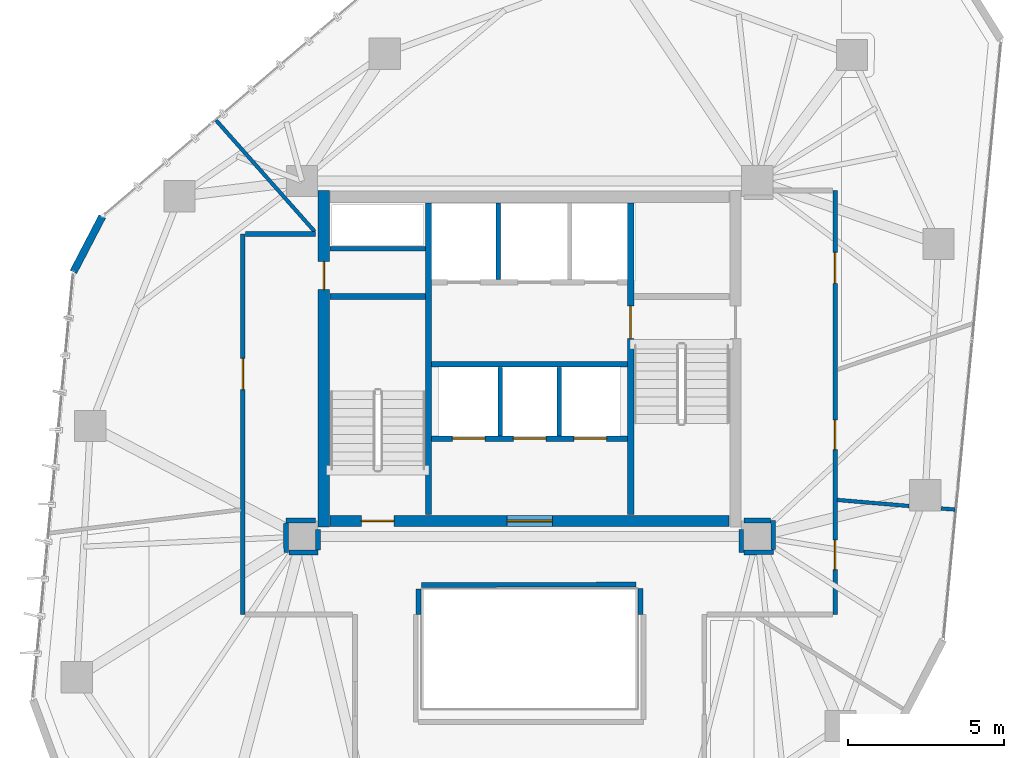
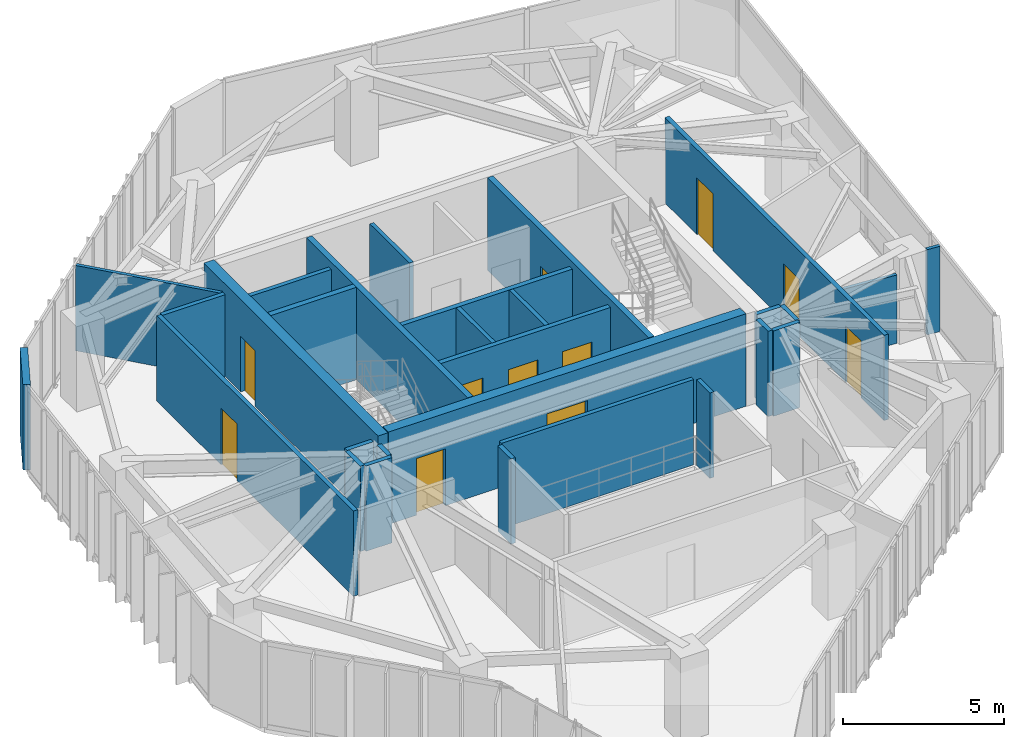
# One storey, part 17 of 20: 29 walls, 11 doors, 11 openings.
"""IFC4 building model written with IfcOpenShell, lengths in metres."""

import ifcopenshell
import ifcopenshell.guid

model = None  # the IFC model being written
_history = None  # IfcOwnerHistory: only IFC2X3 demands one
_inside = {}  # id of a spatial element -> (the spatial element, [elements in it])
_under = {}  # id of a project, library or spatial element -> (it, [spatial elements below it])
_declared = {}  # id of a project -> (the project, [libraries it declares])
_typed = {}  # id of a type object -> (the type object, [elements of that type])
_made_of = {}  # id of a material, layer set ... -> (it, [elements and type objects made of it])


def new_model(schema):
    """Start an empty IFC model of exactly this schema.

    Asked for "IFC4X3", IfcOpenShell would pick the latest addendum, in which some entities
    have other attributes; the version numbers below select the first issue.
    IFC2X3 requires an IfcOwnerHistory on every rooted entity: one is made here for all.
    """
    global model, _history
    if schema == "IFC4X3":
        model = ifcopenshell.file(schema_version=(4, 3, 0, 0))
    else:
        model = ifcopenshell.file(schema=schema)
    _inside.clear()
    _under.clear()
    _declared.clear()
    _typed.clear()
    _made_of.clear()
    _history = None
    if model.schema == "IFC2X3":
        org = make("IfcOrganization", Name="unknown")
        user = make(
            "IfcPersonAndOrganization",
            ThePerson=make("IfcPerson", FamilyName="unknown"),
            TheOrganization=org,
        )
        app = make(
            "IfcApplication",
            ApplicationDeveloper=org,
            Version="unknown",
            ApplicationFullName="unknown",
            ApplicationIdentifier="unknown",
        )
        _history = make(
            "IfcOwnerHistory",
            OwningUser=user,
            OwningApplication=app,
            ChangeAction="ADDED",
            CreationDate=0,
        )
    return model


def make(cls, **values):
    """One entity of the class cls with the attributes given. An attribute that is None is left unset."""
    return model.create_entity(
        cls, **{name: value for name, value in values.items() if value is not None}
    )


def rooted(cls, **values):
    """An entity with a GlobalId (a new one), such as an element, a storey or a relation."""
    return make(cls, GlobalId=ifcopenshell.guid.new(), OwnerHistory=_history, **values)


def si_unit(unit_type, name, prefix=None):
    """IfcSIUnit, for example si_unit("LENGTHUNIT", "METRE", prefix="MILLI")."""
    return make("IfcSIUnit", UnitType=unit_type, Prefix=prefix, Name=name)


def assignment(units):
    """IfcUnitAssignment: the units of a project."""
    return None if units is None else make("IfcUnitAssignment", Units=units)


def point(xyz):
    """IfcCartesianPoint."""
    return None if xyz is None else make("IfcCartesianPoint", Coordinates=xyz)


def direction(xyz):
    """IfcDirection."""
    return None if xyz is None else make("IfcDirection", DirectionRatios=xyz)


def frame(location, z_axis=None, x_axis=None):
    """IfcAxis2Placement3D, a coordinate frame: its origin and axes. An axis left out is left unset."""
    return make(
        "IfcAxis2Placement3D",
        Location=point(location),
        Axis=direction(z_axis),
        RefDirection=direction(x_axis),
    )


def frame_2d(location, x_axis=None):
    """IfcAxis2Placement2D, a coordinate frame in the plane: its origin and x axis."""
    return make(
        "IfcAxis2Placement2D", Location=point(location), RefDirection=direction(x_axis)
    )


def origin():
    """The frame at (0, 0, 0) with its axes left unset."""
    return frame((0.0, 0.0, 0.0))


def place(relative_to, where):
    """IfcLocalPlacement: puts the frame where relative to a parent placement (None: the world)."""
    return make(
        "IfcLocalPlacement", PlacementRelTo=relative_to, RelativePlacement=where
    )


def context(
    kind, dimensions, precision=None, world=None, true_north=None, identifier=None
):
    """IfcGeometricRepresentationContext, for example the 3D "Model" context."""
    return make(
        "IfcGeometricRepresentationContext",
        ContextIdentifier=identifier,
        ContextType=kind,
        CoordinateSpaceDimension=dimensions,
        Precision=precision,
        WorldCoordinateSystem=world,
        TrueNorth=true_north,
    )


def subcontext(parent, identifier, kind, view, scale=None):
    """IfcGeometricRepresentationSubContext, for example "Body" below "Model"."""
    return make(
        "IfcGeometricRepresentationSubContext",
        ContextIdentifier=identifier,
        ContextType=kind,
        ParentContext=parent,
        TargetScale=scale,
        TargetView=view,
    )


def project(units=None, contexts=None):
    """IfcProject with its units and contexts."""
    return rooted(
        "IfcProject",
        Name="project",
        RepresentationContexts=contexts,
        UnitsInContext=assignment(units),
    )


def spatial(cls, under=None, at=None, **own):
    """A site, building, storey or space (cls), placed at a placement, below another one or the project."""
    s = rooted(cls, ObjectPlacement=at, **own)
    if under is not None:
        _under.setdefault(under.id(), (under, []))[1].append(s)
    return s


def profile(cls, at=None, kind="AREA", **sizes):
    """A parametric profile (cls). Its sizes go by their IFC names, for example OverallWidth=200.0."""
    return make(cls, ProfileType=kind, Position=at, **sizes)


def rectangle(**sizes):
    """IfcRectangleProfileDef."""
    return profile("IfcRectangleProfileDef", **sizes)


def extrude(swept, where, along, depth):
    """IfcExtrudedAreaSolid: the profile swept, set in the frame where, extruded along a direction by depth."""
    return make(
        "IfcExtrudedAreaSolid",
        SweptArea=swept,
        Position=where,
        ExtrudedDirection=direction(along),
        Depth=depth,
    )


def shape(context_of_items, identifier, shape_type, items):
    """IfcShapeRepresentation: the items that make up one representation, for example the "Body"."""
    return make(
        "IfcShapeRepresentation",
        ContextOfItems=context_of_items,
        RepresentationIdentifier=identifier,
        RepresentationType=shape_type,
        Items=items,
    )


def source(mapping_origin, context_of_items, identifier, shape_type, items):
    """IfcRepresentationMap: a shape defined once, which mapped items show again and again."""
    return make(
        "IfcRepresentationMap",
        MappingOrigin=mapping_origin,
        MappedRepresentation=shape(context_of_items, identifier, shape_type, items),
    )


def transform(
    local_origin,
    x_axis=None,
    y_axis=None,
    z_axis=None,
    scale=None,
    scale2=None,
    scale3=None,
    uniform=True,
):
    """IfcCartesianTransformationOperator3D, or its non-uniform kind. x_axis, y_axis, z_axis: its Axis1, 2, 3."""
    if uniform:
        return make(
            "IfcCartesianTransformationOperator3D",
            Axis1=direction(x_axis),
            Axis2=direction(y_axis),
            LocalOrigin=point(local_origin),
            Scale=scale,
            Axis3=direction(z_axis),
        )
    return make(
        "IfcCartesianTransformationOperator3DnonUniform",
        Axis1=direction(x_axis),
        Axis2=direction(y_axis),
        LocalOrigin=point(local_origin),
        Scale=scale,
        Axis3=direction(z_axis),
        Scale2=scale2,
        Scale3=scale3,
    )


def mapped(mapping_source, mapping_target):
    """IfcMappedItem: shows the shape of a source again, moved by a transform."""
    return make(
        "IfcMappedItem", MappingSource=mapping_source, MappingTarget=mapping_target
    )


def material(Name=None, Category=None):
    """IfcMaterial."""
    return make("IfcMaterial", Name=Name, Category=Category)


def layer(
    of_material, thickness, ventilated=None, Name=None, Category=None, Priority=None
):
    """IfcMaterialLayer: one layer of a wall or slab, of a material (None: an air gap)."""
    return make(
        "IfcMaterialLayer",
        Material=of_material,
        LayerThickness=thickness,
        IsVentilated=ventilated,
        Name=Name,
        Category=Category,
        Priority=Priority,
    )


def layer_set(layers, Name=None):
    """IfcMaterialLayerSet."""
    return make("IfcMaterialLayerSet", MaterialLayers=layers, LayerSetName=Name)


def made_of(thing, what):
    """Note that an element or type object is made of a material, layer set ...; save() writes the relation."""
    if what is not None:
        _made_of.setdefault(what.id(), (what, []))[1].append(thing)
    return thing


def type_object(cls, material=None, **own):
    """A type object (cls), such as IfcWallType, which elements share."""
    return made_of(rooted(cls, **own), material)


def type_shapes(of_type, sources):
    """Give a type object the sources (RepresentationMaps) that its elements show as mapped items."""
    of_type.RepresentationMaps = sources


def element(
    cls,
    number,
    at=None,
    inside=None,
    cuts=None,
    type_object=None,
    material=None,
    context=None,
    identifier="Body",
    shape_type=None,
    held_by="IfcProductDefinitionShape",
    body=None,
    shapes=None,
    **own,
):
    """One element of the class cls, such as IfcWall. Its Tag is "e" and its number.

    at: its placement. inside: the storey or other place that contains it. cuts: it is an
    opening in that element (IfcRelVoidsElement). A single representation is given by context,
    identifier, shape_type and body (its items); several are given by shapes. held_by: the class
    of the entity that holds the representations. save() writes the other relations.
    """
    e = rooted(cls, Tag="e%d" % number, ObjectPlacement=at, **own)
    if body is not None:
        shapes = [shape(context, identifier, shape_type, body)]
    if shapes is not None:
        e.Representation = make(held_by, Representations=shapes)
    if inside is not None:
        _inside.setdefault(inside.id(), (inside, []))[1].append(e)
    if cuts is not None:
        rooted(
            "IfcRelVoidsElement", RelatingBuildingElement=cuts, RelatedOpeningElement=e
        )
    if type_object is not None:
        _typed.setdefault(type_object.id(), (type_object, []))[1].append(e)
    return made_of(e, material)


def fill(opening, filler):
    """IfcRelFillsElement: the door or window that sits in an opening."""
    return rooted(
        "IfcRelFillsElement",
        RelatingOpeningElement=opening,
        RelatedBuildingElement=filler,
    )


def aggregate(whole, parts):
    """IfcRelAggregates: a whole, such as a stair, and the parts it consists of."""
    return rooted("IfcRelAggregates", RelatingObject=whole, RelatedObjects=parts)


def save(model, path):
    """Write the relations noted so far, then the file.

    IfcRelAggregates (storeys below a building ...), IfcRelContainedInSpatialStructure (elements
    in a storey), IfcRelDefinesByType, IfcRelAssociatesMaterial and IfcRelDeclares: one each for
    every whole, place, type object, material and project.
    """
    for whole, parts in _under.values():
        aggregate(whole, parts)
    for where, things in _inside.values():
        rooted(
            "IfcRelContainedInSpatialStructure",
            RelatedElements=things,
            RelatingStructure=where,
        )
    for kind, things in _typed.values():
        rooted("IfcRelDefinesByType", RelatedObjects=things, RelatingType=kind)
    for what, things in _made_of.values():
        rooted("IfcRelAssociatesMaterial", RelatedObjects=things, RelatingMaterial=what)
    for by, libraries in _declared.values():
        rooted("IfcRelDeclares", RelatingContext=by, RelatedDefinitions=libraries)
    model.write(path)


model = new_model("IFC4")

# Units and contexts
model_context = context("Model", 3, precision=1e-05, world=origin(), true_north=direction((0.0, 1.0)))
body_context = subcontext(model_context, "Body", "Model", "MODEL_VIEW")
ifc_project = project(units=[si_unit("LENGTHUNIT", "METRE"), si_unit("AREAUNIT", "SQUARE_METRE"), si_unit("VOLUMEUNIT", "CUBIC_METRE"), si_unit("PLANEANGLEUNIT", "RADIAN"), si_unit("MASSUNIT", "GRAM", prefix="KILO")], contexts=[model_context])

# Site, building, storey
site_placement = place(None, origin())
site = spatial("IfcSite", under=ifc_project, at=site_placement, CompositionType="ELEMENT")
building_placement = place(site_placement, origin())
building = spatial("IfcBuilding", under=site, at=building_placement, Name="Talar Marvaseh", CompositionType="ELEMENT")
storey_placement = place(building_placement, frame((0.0, 0.0, 211.699951171875)))
storey = spatial("IfcBuildingStorey", under=building, at=storey_placement, Name="L55", CompositionType="ELEMENT", Elevation=211.699951171875)

# Walls
ifc_material_1 = material(Name="Precast concrete C45/55", Category="concrete")
ifc_layer_1 = layer(ifc_material_1, 0.239990234375)
ifc_layer_set_1 = layer_set([ifc_layer_1], Name="Precast concrete C45/55")
wall_type_1 = type_object("IfcWallType", Name="Chamfered Hexagonal Corner Pier Wall Z3 240", PredefinedType="SOLIDWALL", material=ifc_layer_set_1)
wall_1_placement = place(storey_placement, frame((11.367431640625, 33.988037109375, 0.0), z_axis=(0.0, 0.0, 1.0), x_axis=(0.461778626692, 0.886995208516, 0.0)))
element("IfcWall", 1, at=wall_1_placement, inside=storey, type_object=wall_type_1, Name="L55 Chamfered Corner Limestone Pier 3", PredefinedType="SOLIDWALL", context=body_context, shape_type="SweptSolid", body=[
    extrude(rectangle(XDim=2.003173828125, YDim=0.239990234375, at=frame_2d((1.00146484375, 0.0))), origin(), (0.0, 0.0, 1.0), 3.22998046875),
])
ifc_material_2 = material(Name="Gypsum Board Partition Assembly")
ifc_layer_2 = layer(ifc_material_2, 0.155029296875)
ifc_layer_set_2 = layer_set([ifc_layer_2], Name="Gypsum Board Partition Assembly")
wall_type_2 = type_object("IfcWallType", Name="Corridor Fire-Rated Acoustic Partition 155", PredefinedType="PARTITIONING", material=ifc_layer_set_2)
wall_2_placement = place(storey_placement, frame((19.60009765625, 34.72998046875, 0.0), z_axis=(0.0, 0.0, 1.0), x_axis=(1.0, 0.0, 0.0)))
element("IfcWall", 2, at=wall_2_placement, inside=storey, type_object=wall_type_2, Name="L55 Core BOH Partition", PredefinedType="PARTITIONING", context=body_context, shape_type="SweptSolid", body=[
    extrude(rectangle(XDim=3.059814453125, YDim=0.155029296875, at=frame_2d((1.52978515625, 0.0))), origin(), (0.0, 0.0, 1.0), 3.22998046875),
])

# Wall, opening, door
wall_3_placement = place(storey_placement, frame((16.800048828125, 23.0, 0.0), z_axis=(0.0, 0.0, 1.0), x_axis=(0.0, 1.0, 0.0)))
wall_3 = element("IfcWall", 3, at=wall_3_placement, inside=storey, type_object=wall_type_2, Name="L55 Interior Partition Wall", PredefinedType="PARTITIONING", context=body_context, shape_type="SweptSolid", body=[
    extrude(rectangle(XDim=12.199951171875, YDim=0.155029296875, at=frame_2d((6.10009765625, 0.0))), origin(), (0.0, 0.0, 1.0), 3.22998046875),
])
opening_1_placement = place(wall_3_placement, frame((7.214599609375, 0.0, 0.0)))
opening_1 = element("IfcOpeningElement", 4, at=opening_1_placement, cuts=wall_3, Name="Opening DR-RM100", PredefinedType="OPENING", context=body_context, shape_type="SweptSolid", body=[
    extrude(rectangle(XDim=1.0, YDim=2.14990234375, at=frame_2d((0.5, 1.074951171875))), frame((0.0, 0.08740234375, 0.0), z_axis=(0.0, -1.0, 0.0), x_axis=(1.0, 0.0, 0.0)), (0.0, 0.0, 1.0), 0.175048828125),
])
ifc_material_3 = material(Name="Acoustic Engineered Oak Timber", Category="wood")
door_type_1 = type_object("IfcDoorType", Name="Corridor Fire-Rated Gallery Door 1000x2150", OperationType="NOTDEFINED", PredefinedType="DOOR", material=ifc_material_3)
shared_shape_1 = source(origin(), body_context, "Body", "SweptSolid", [
    extrude(rectangle(XDim=1.0, YDim=2.14990234375, at=frame_2d((0.5, 1.074951171875))), frame((0.0, 0.02490234375, 0.0), z_axis=(0.0, -1.0, 0.0), x_axis=(1.0, 0.0, 0.0)), (0.0, 0.0, 1.0), 0.050048828125),
])
type_shapes(door_type_1, [shared_shape_1])
door_1_placement = place(opening_1_placement, origin())
door_1 = element("IfcDoor", 5, at=door_1_placement, inside=storey, type_object=door_type_1, Name="L55 Scholars' Registration Reception Door", OperationType="SINGLE_SWING_RIGHT", OverallHeight=2.14990234375, OverallWidth=1.0, PredefinedType="DOOR", context=body_context, shape_type="MappedRepresentation", body=[
    mapped(shared_shape_1, transform((0.0, 0.0, 0.0), x_axis=(1.0, 0.0, 0.0), y_axis=(0.0, 1.0, 0.0), z_axis=(0.0, 0.0, 1.0), scale=1.0)),
])
fill(opening_1, door_1)

# Wall, openings, doors
wall_4_placement = place(storey_placement, frame((35.800048828125, 36.60009765625, 0.0), z_axis=(0.0, 0.0, 1.0), x_axis=(0.0, -1.0, 0.0)))
wall_4 = element("IfcWall", 6, at=wall_4_placement, inside=storey, type_object=wall_type_2, Name="L55 Interior Partition Wall", PredefinedType="PARTITIONING", context=body_context, shape_type="SweptSolid", body=[
    extrude(rectangle(XDim=13.60009765625, YDim=0.155029296875, at=frame_2d((6.800048828125, 0.0))), origin(), (0.0, 0.0, 1.0), 3.22998046875),
])
opening_2_placement = place(wall_4_placement, frame((11.2138671875, 0.0, 0.0)))
opening_2 = element("IfcOpeningElement", 7, at=opening_2_placement, cuts=wall_4, Name="Opening DR-WC095", PredefinedType="OPENING", context=body_context, shape_type="SweptSolid", body=[
    extrude(rectangle(XDim=0.949951171875, YDim=2.14990234375, at=frame_2d((0.47509765625, 1.074951171875))), frame((0.0, 0.08740234375, 0.0), z_axis=(0.0, -1.0, 0.0), x_axis=(1.0, 0.0, 0.0)), (0.0, 0.0, 1.0), 0.175048828125),
])
opening_3_placement = place(wall_4_placement, frame((7.364990234375, 0.0, 0.0)))
opening_3 = element("IfcOpeningElement", 8, at=opening_3_placement, cuts=wall_4, Name="Opening DR-WC095", PredefinedType="OPENING", context=body_context, shape_type="SweptSolid", body=[
    extrude(rectangle(XDim=0.949951171875, YDim=2.14990234375, at=frame_2d((0.47509765625, 1.074951171875))), frame((0.0, 0.08740234375, 0.0), z_axis=(0.0, -1.0, 0.0), x_axis=(1.0, 0.0, 0.0)), (0.0, 0.0, 1.0), 0.175048828125),
])
opening_4_placement = place(wall_4_placement, frame((1.98193359375, 0.0, 0.0)))
opening_4 = element("IfcOpeningElement", 9, at=opening_4_placement, cuts=wall_4, Name="Opening DR-RM100", PredefinedType="OPENING", context=body_context, shape_type="SweptSolid", body=[
    extrude(rectangle(XDim=1.0, YDim=2.14990234375, at=frame_2d((0.5, 1.074951171875))), frame((0.0, 0.08740234375, 0.0), z_axis=(0.0, -1.0, 0.0), x_axis=(1.0, 0.0, 0.0)), (0.0, 0.0, 1.0), 0.175048828125),
])
door_type_2 = type_object("IfcDoorType", Name="Washroom and Service Room Door 950x2150", OperationType="NOTDEFINED", PredefinedType="DOOR", material=ifc_material_3)
shared_shape_2 = source(origin(), body_context, "Body", "SweptSolid", [
    extrude(rectangle(XDim=0.949951171875, YDim=2.14990234375, at=frame_2d((0.47509765625, 1.074951171875))), frame((0.0, 0.02490234375, 0.0), z_axis=(0.0, -1.0, 0.0), x_axis=(1.0, 0.0, 0.0)), (0.0, 0.0, 1.0), 0.050048828125),
])
type_shapes(door_type_2, [shared_shape_2])
door_2_placement = place(opening_2_placement, origin())
door_2 = element("IfcDoor", 10, at=door_2_placement, inside=storey, type_object=door_type_2, Name="L55 Accessible WC Door", OperationType="SINGLE_SWING_LEFT", OverallHeight=2.14990234375, OverallWidth=0.949951171875, PredefinedType="DOOR", context=body_context, shape_type="MappedRepresentation", body=[
    mapped(shared_shape_2, transform((0.0, 0.0, 0.0), x_axis=(1.0, 0.0, 0.0), y_axis=(0.0, 1.0, 0.0), z_axis=(0.0, 0.0, 1.0), scale=1.0)),
])
fill(opening_2, door_2)
door_3_placement = place(opening_3_placement, origin())
door_3 = element("IfcDoor", 11, at=door_3_placement, inside=storey, type_object=door_type_2, Name="L55 WC Public Washrooms Door", OperationType="SINGLE_SWING_RIGHT", OverallHeight=2.14990234375, OverallWidth=0.949951171875, PredefinedType="DOOR", context=body_context, shape_type="MappedRepresentation", body=[
    mapped(shared_shape_2, transform((0.0, 0.0, 0.0), x_axis=(1.0, 0.0, 0.0), y_axis=(0.0, 1.0, 0.0), z_axis=(0.0, 0.0, 1.0), scale=1.0)),
])
fill(opening_3, door_3)
door_4_placement = place(opening_4_placement, origin())
door_4 = element("IfcDoor", 12, at=door_4_placement, inside=storey, type_object=door_type_1, Name="L55 Artisan Craft Showroom Door", OperationType="SINGLE_SWING_LEFT", OverallHeight=2.14990234375, OverallWidth=1.0, PredefinedType="DOOR", context=body_context, shape_type="MappedRepresentation", body=[
    mapped(shared_shape_1, transform((0.0, 0.0, 0.0), x_axis=(1.0, 0.0, 0.0), y_axis=(0.0, 1.0, 0.0), z_axis=(0.0, 0.0, 1.0), scale=1.0)),
])
fill(opening_4, door_4)

# Walls
wall_5_placement = place(storey_placement, frame((16.883544921875, 35.199951171875, 0.0), z_axis=(0.0, 0.0, 1.0), x_axis=(1.0, 0.0, 0.0)))
element("IfcWall", 13, at=wall_5_placement, inside=storey, type_object=wall_type_2, Name="L55 Interior Partition Wall", PredefinedType="PARTITIONING", context=body_context, shape_type="SweptSolid", body=[
    extrude(rectangle(XDim=2.246337890625, YDim=0.155029296875, at=frame_2d((1.123046875, 0.0))), origin(), (0.0, 0.0, 1.0), 3.22998046875),
])
wall_6_placement = place(storey_placement, frame((19.1298828125, 26.0146484375, 0.0), z_axis=(0.0, 0.0, 1.0), x_axis=(-0.99999026157, -0.004413248818, 0.0)))
element("IfcWall", 14, at=wall_6_placement, inside=storey, type_object=wall_type_2, Name="L55 Interior Partition Wall", PredefinedType="PARTITIONING", context=body_context, shape_type="SweptSolid", body=[
    extrude(rectangle(XDim=0.9404296875, YDim=0.155029296875, at=frame_2d((0.47021484375, 0.0))), origin(), (0.0, 0.0, 1.0), 3.22998046875),
])
wall_7_placement = place(storey_placement, frame((18.189697265625, 25.927001953125, 0.0), z_axis=(0.0, 0.0, 1.0), x_axis=(0.002078997586, -0.999997838882, 0.0)))
element("IfcWall", 15, at=wall_7_placement, inside=storey, type_object=wall_type_2, Name="L55 Interior Partition Wall", PredefinedType="PARTITIONING", context=body_context, shape_type="SweptSolid", body=[
    extrude(rectangle(XDim=0.939453125, YDim=0.155029296875, at=frame_2d((0.4697265625, 0.0))), origin(), (0.0, 0.0, 1.0), 3.22998046875),
])
wall_8_placement = place(storey_placement, frame((18.275146484375, 24.987548828125, 0.0), z_axis=(0.0, 0.0, 1.0), x_axis=(0.999999692748, 0.0007839036, 0.0)))
element("IfcWall", 16, at=wall_8_placement, inside=storey, type_object=wall_type_2, Name="L55 Interior Partition Wall", PredefinedType="PARTITIONING", context=body_context, shape_type="SweptSolid", body=[
    extrude(rectangle(XDim=0.934326171875, YDim=0.155029296875, at=frame_2d((0.46728515625, 0.0))), origin(), (0.0, 0.0, 1.0), 3.22998046875),
])
wall_9_placement = place(storey_placement, frame((19.210205078125, 25.072021484375, 0.0), z_axis=(0.0, 0.0, 1.0), x_axis=(0.007420945932, 0.999972464402, 0.0)))
element("IfcWall", 17, at=wall_9_placement, inside=storey, type_object=wall_type_2, Name="L55 Interior Partition Wall", PredefinedType="PARTITIONING", context=body_context, shape_type="SweptSolid", body=[
    extrude(rectangle(XDim=0.657958984375, YDim=0.155029296875, at=frame_2d((0.3291015625, 0.0))), origin(), (0.0, 0.0, 1.0), 3.22998046875),
])
wall_10_placement = place(storey_placement, frame((32.784912109375, 25.72998046875, 0.0), z_axis=(0.0, 0.0, 1.0), x_axis=(0.007570553288, -0.999971342951, 0.0)))
element("IfcWall", 18, at=wall_10_placement, inside=storey, type_object=wall_type_2, Name="L55 Interior Partition Wall", PredefinedType="PARTITIONING", context=body_context, shape_type="SweptSolid", body=[
    extrude(rectangle(XDim=0.74169921875, YDim=0.155029296875, at=frame_2d((0.370849609375, 0.0))), origin(), (0.0, 0.0, 1.0), 3.22998046875),
])
wall_11_placement = place(storey_placement, frame((32.8740234375, 24.9892578125, 0.0), z_axis=(0.0, 0.0, 1.0), x_axis=(0.999934835738, 0.01141596595, 0.0)))
element("IfcWall", 19, at=wall_11_placement, inside=storey, type_object=wall_type_2, Name="L55 Interior Partition Wall", PredefinedType="PARTITIONING", context=body_context, shape_type="SweptSolid", body=[
    extrude(rectangle(XDim=0.94091796875, YDim=0.155029296875, at=frame_2d((0.470458984375, 0.0))), origin(), (0.0, 0.0, 1.0), 3.22998046875),
])
wall_12_placement = place(storey_placement, frame((33.814697265625, 25.08349609375, 0.0), z_axis=(0.0, 0.0, 1.0), x_axis=(-0.004477173984, 0.999989977406, 0.0)))
element("IfcWall", 20, at=wall_12_placement, inside=storey, type_object=wall_type_2, Name="L55 Interior Partition Wall", PredefinedType="PARTITIONING", context=body_context, shape_type="SweptSolid", body=[
    extrude(rectangle(XDim=0.927001953125, YDim=0.155029296875, at=frame_2d((0.46337890625, 0.0))), origin(), (0.0, 0.0, 1.0), 3.22998046875),
])
wall_13_placement = place(storey_placement, frame((33.72705078125, 26.010986328125, 0.0), z_axis=(0.0, 0.0, 1.0), x_axis=(-0.999990868706, 0.004273465251, 0.0)))
element("IfcWall", 21, at=wall_13_placement, inside=storey, type_object=wall_type_2, Name="L55 Interior Partition Wall", PredefinedType="PARTITIONING", context=body_context, shape_type="SweptSolid", body=[
    extrude(rectangle(XDim=0.85693359375, YDim=0.155029296875, at=frame_2d((0.428466796875, 0.0))), origin(), (0.0, 0.0, 1.0), 3.22998046875),
])
wall_14_placement = place(storey_placement, frame((29.415771484375, 23.959228515625, 0.0), z_axis=(0.0, 0.0, 1.0), x_axis=(-0.999998607957, -0.001668557745, 0.0)))
element("IfcWall", 22, at=wall_14_placement, inside=storey, type_object=wall_type_2, Name="L55 Interior Partition Wall", PredefinedType="PARTITIONING", context=body_context, shape_type="SweptSolid", body=[
    extrude(rectangle(XDim=6.876953125, YDim=0.155029296875, at=frame_2d((3.4384765625, 0.0))), origin(), (0.0, 0.0, 1.0), 3.22998046875),
])
wall_15_placement = place(storey_placement, frame((22.44091796875, 23.815673828125, 0.0), z_axis=(0.0, 0.0, 1.0), x_axis=(-0.001197245475, -0.999999283301, 0.0)))
element("IfcWall", 23, at=wall_15_placement, inside=storey, type_object=wall_type_2, Name="L55 Interior Partition Wall", PredefinedType="PARTITIONING", context=body_context, shape_type="SweptSolid", body=[
    extrude(rectangle(XDim=0.815673828125, YDim=0.155029296875, at=frame_2d((0.40771484375, 0.0))), origin(), (0.0, 0.0, 1.0), 3.22998046875),
])
wall_16_placement = place(storey_placement, frame((29.56005859375, 23.0, 0.0), z_axis=(0.0, 0.0, 1.0), x_axis=(-0.003817887006, 0.999992711843, 0.0)))
element("IfcWall", 24, at=wall_16_placement, inside=storey, type_object=wall_type_2, Name="L55 Interior Partition Wall", PredefinedType="PARTITIONING", context=body_context, shape_type="SweptSolid", body=[
    extrude(rectangle(XDim=0.831298828125, YDim=0.155029296875, at=frame_2d((0.41552734375, 0.0))), origin(), (0.0, 0.0, 1.0), 3.22998046875),
])
ifc_layer_3 = layer(ifc_material_2, 0.1201171875)
ifc_layer_set_3 = layer_set([ifc_layer_3], Name="Gypsum Board Partition Assembly")
wall_type_3 = type_object("IfcWallType", Name="Demountable Studio Room Partition 120", PredefinedType="PARTITIONING", material=ifc_layer_set_3)
wall_17_placement = place(storey_placement, frame((35.86474609375, 26.674560546875, 0.0), z_axis=(0.0, 0.0, 1.0), x_axis=(0.996456394082, -0.084110966541, 0.0)))
element("IfcWall", 25, at=wall_17_placement, inside=storey, type_object=wall_type_3, Name="L55 Interior Partition Wall", PredefinedType="PARTITIONING", context=body_context, shape_type="SweptSolid", body=[
    extrude(rectangle(XDim=2.3134765625, YDim=0.1201171875, at=frame_2d((1.15673828125, 0.0))), origin(), (0.0, 0.0, 1.0), 2.589111328125),
])
wall_18_placement = place(storey_placement, frame((39.199951171875, 26.39990234375, 0.0), z_axis=(0.0, 0.0, 1.0), x_axis=(0.997287061139, -0.073610581331, 0.0)))
element("IfcWall", 26, at=wall_18_placement, inside=storey, type_object=wall_type_3, Name="L55 Interior Partition Wall", PredefinedType="PARTITIONING", context=body_context, shape_type="SweptSolid", body=[
    extrude(rectangle(XDim=0.44775390625, YDim=0.1201171875, at=frame_2d((0.223876953125, 0.0))), origin(), (0.0, 0.0, 1.0), 3.22998046875),
])
wall_19_placement = place(storey_placement, frame((19.10595703125, 35.283447265625, 0.0), z_axis=(0.0, 0.0, 1.0), x_axis=(-0.663307514316, 0.748346939228, 0.0)))
element("IfcWall", 27, at=wall_19_placement, inside=storey, type_object=wall_type_3, Name="L55 Interior Partition Wall", PredefinedType="PARTITIONING", context=body_context, shape_type="SweptSolid", body=[
    extrude(rectangle(XDim=4.765625, YDim=0.1201171875, at=frame_2d((2.3828125, 0.0))), origin(), (0.0, 0.0, 1.0), 3.22998046875),
])
ifc_layer_4 = layer(ifc_material_1, 0.14501953125)
ifc_layer_set_4 = layer_set([ifc_layer_4], Name="Precast concrete C45/55")
wall_type_4 = type_object("IfcWallType", Name="Fire-Rated Lift Divider Wall 145", PredefinedType="SOLIDWALL", material=ifc_layer_set_4)
wall_20_placement = place(storey_placement, frame((25.0, 33.743408203125, 0.0), z_axis=(0.0, 0.0, 1.0), x_axis=(0.0, 1.0, 0.0)))
element("IfcWall", 28, at=wall_20_placement, inside=storey, type_object=wall_type_4, Name="L55 FFL-1/FFL-2 Divider", PredefinedType="SOLIDWALL", context=body_context, shape_type="SweptSolid", body=[
    extrude(rectangle(XDim=2.45654296875, YDim=0.14501953125, at=frame_2d((1.228271484375, 0.0))), origin(), (0.0, 0.0, 1.0), 3.22998046875),
])
for number, where, z_axis, x_axis, name in (
    (29, (25.050048828125, 28.719970703125, 0.0), (0.0, 0.0, 1.0), (0.0, 1.0, 0.0), "L55 PL-H1/PL-H2 Divider"),
    (30, (26.949951171875, 28.719970703125, 0.0), (0.0, 0.0, 1.0), (0.0, 1.0, 0.0), "L55 PL-H2/PL-H3 Divider"),
):
    element("IfcWall", number, at=place(storey_placement, frame(where, z_axis=z_axis, x_axis=x_axis)), inside=storey, type_object=wall_type_4, Name=name, PredefinedType="SOLIDWALL", context=body_context, shape_type="SweptSolid", body=[
        extrude(rectangle(XDim=2.20654296875, YDim=0.14501953125, at=frame_2d((1.103271484375, 0.0))), origin(), (0.0, 0.0, 1.0), 3.22998046875),
    ])
ifc_layer_5 = layer(ifc_material_1, 0.175048828125)
ifc_layer_set_5 = layer_set([ifc_layer_5], Name="Precast concrete C45/55")
wall_type_5 = type_object("IfcWallType", Name="Fire-Rated Lift Hoistway Enclosure Wall 175", PredefinedType="SOLIDWALL", material=ifc_layer_set_5)
wall_21_placement = place(storey_placement, frame((22.860107421875, 31.02001953125, 0.0), z_axis=(0.0, 0.0, 1.0), x_axis=(1.0, 0.0, 0.0)))
element("IfcWall", 31, at=wall_21_placement, inside=storey, type_object=wall_type_5, Name="L55 Firefighting Lobby South Smoke Wall", PredefinedType="SOLIDWALL", context=body_context, shape_type="SweptSolid", body=[
    extrude(rectangle(XDim=6.27978515625, YDim=0.175048828125, at=frame_2d((3.139892578125, 0.0))), origin(), (0.0, 0.0, 1.0), 3.22998046875),
])

# Wall, openings, doors
wall_22_placement = place(storey_placement, frame((22.860107421875, 28.639892578125, 0.0), z_axis=(0.0, 0.0, 1.0), x_axis=(1.0, 0.0, 0.0)))
wall_22 = element("IfcWall", 32, at=wall_22_placement, inside=storey, type_object=wall_type_5, Name="L55 High-Rise Lift Bank Front Wall", PredefinedType="SOLIDWALL", context=body_context, shape_type="SweptSolid", body=[
    extrude(rectangle(XDim=6.27978515625, YDim=0.175048828125, at=frame_2d((3.139892578125, 0.0))), origin(), (0.0, 0.0, 1.0), 3.22998046875),
])
opening_5_placement = place(wall_22_placement, frame((0.659912109375, 0.0, 0.0)))
opening_5 = element("IfcOpeningElement", 33, at=opening_5_placement, cuts=wall_22, Name="Opening LD-PLH1", PredefinedType="OPENING", context=body_context, shape_type="SweptSolid", body=[
    extrude(rectangle(XDim=1.050048828125, YDim=2.14990234375, at=frame_2d((0.52490234375, 1.074951171875))), frame((0.0, 0.09765625, 0.0), z_axis=(0.0, -1.0, 0.0), x_axis=(1.0, 0.0, 0.0)), (0.0, 0.0, 1.0), 0.195068359375),
])
opening_6_placement = place(wall_22_placement, frame((2.6201171875, 0.0, 0.0)))
opening_6 = element("IfcOpeningElement", 34, at=opening_6_placement, cuts=wall_22, Name="Opening LD-PLH2", PredefinedType="OPENING", context=body_context, shape_type="SweptSolid", body=[
    extrude(rectangle(XDim=1.050048828125, YDim=2.14990234375, at=frame_2d((0.52490234375, 1.074951171875))), frame((0.0, 0.09765625, 0.0), z_axis=(0.0, -1.0, 0.0), x_axis=(1.0, 0.0, 0.0)), (0.0, 0.0, 1.0), 0.195068359375),
])
opening_7_placement = place(wall_22_placement, frame((4.56005859375, 0.0, 0.0)))
opening_7 = element("IfcOpeningElement", 35, at=opening_7_placement, cuts=wall_22, Name="Opening LD-PLH3", PredefinedType="OPENING", context=body_context, shape_type="SweptSolid", body=[
    extrude(rectangle(XDim=1.050048828125, YDim=2.14990234375, at=frame_2d((0.52490234375, 1.074951171875))), frame((0.0, 0.09765625, 0.0), z_axis=(0.0, -1.0, 0.0), x_axis=(1.0, 0.0, 0.0)), (0.0, 0.0, 1.0), 0.195068359375),
])
ifc_material_4 = material(Name="Stainless Steel Grade 316", Category="steel")
door_type_3 = type_object("IfcDoorType", Name="Automatic Sliding Lift Landing Door 1050x2150", OperationType="NOTDEFINED", PredefinedType="DOOR", material=ifc_material_4)
shared_shape_3 = source(origin(), body_context, "Body", "SweptSolid", [
    extrude(rectangle(XDim=1.050048828125, YDim=2.14990234375, at=frame_2d((0.52490234375, 1.074951171875))), frame((0.0, 0.02490234375, 0.0), z_axis=(0.0, -1.0, 0.0), x_axis=(1.0, 0.0, 0.0)), (0.0, 0.0, 1.0), 0.050048828125),
])
type_shapes(door_type_3, [shared_shape_3])
door_5_placement = place(opening_5_placement, origin())
door_5 = element("IfcDoor", 36, at=door_5_placement, inside=storey, type_object=door_type_3, Name="L55 Lift PL-H1 Sliding Landing Door", OperationType="SLIDING_TO_LEFT", OverallHeight=2.14990234375, OverallWidth=1.050048828125, PredefinedType="DOOR", context=body_context, shape_type="MappedRepresentation", body=[
    mapped(shared_shape_3, transform((0.0, 0.0, 0.0), x_axis=(1.0, 0.0, 0.0), y_axis=(0.0, 1.0, 0.0), z_axis=(0.0, 0.0, 1.0), scale=1.0)),
])
fill(opening_5, door_5)
door_6_placement = place(opening_6_placement, origin())
door_6 = element("IfcDoor", 37, at=door_6_placement, inside=storey, type_object=door_type_3, Name="L55 Lift PL-H2 Sliding Landing Door", OperationType="SLIDING_TO_LEFT", OverallHeight=2.14990234375, OverallWidth=1.050048828125, PredefinedType="DOOR", context=body_context, shape_type="MappedRepresentation", body=[
    mapped(shared_shape_3, transform((0.0, 0.0, 0.0), x_axis=(1.0, 0.0, 0.0), y_axis=(0.0, 1.0, 0.0), z_axis=(0.0, 0.0, 1.0), scale=1.0)),
])
fill(opening_6, door_6)
door_7_placement = place(opening_7_placement, origin())
door_7 = element("IfcDoor", 38, at=door_7_placement, inside=storey, type_object=door_type_3, Name="L55 Lift PL-H3 Sliding Landing Door", OperationType="SLIDING_TO_LEFT", OverallHeight=2.14990234375, OverallWidth=1.050048828125, PredefinedType="DOOR", context=body_context, shape_type="MappedRepresentation", body=[
    mapped(shared_shape_3, transform((0.0, 0.0, 0.0), x_axis=(1.0, 0.0, 0.0), y_axis=(0.0, 1.0, 0.0), z_axis=(0.0, 0.0, 1.0), scale=1.0)),
])
fill(opening_7, door_7)

# Wall
ifc_material_5 = material(Name="Concrete C50/60", Category="concrete")
ifc_layer_6 = layer(ifc_material_5, 0.199951171875)
ifc_layer_set_6 = layer_set([ifc_layer_6], Name="Concrete C50/60")
wall_type_6 = type_object("IfcWallType", Name="Stair Shaft Structural Concrete Shear Wall 200", PredefinedType="SHEAR", material=ifc_layer_set_6)
wall_23_placement = place(storey_placement, frame((22.760009765625, 26.199951171875, 0.0), z_axis=(0.0, 0.0, 1.0), x_axis=(0.0, 1.0, 0.0)))
element("IfcWall", 39, at=wall_23_placement, inside=storey, type_object=wall_type_6, Name="L55 Core West Stair Shear Wall", PredefinedType="SHEAR", context=body_context, shape_type="SweptSolid", body=[
    extrude(rectangle(XDim=10.0, YDim=0.199951171875, at=frame_2d((5.0, 0.0))), origin(), (0.0, 0.0, 1.0), 3.5),
])

# Wall, opening, door
wall_24_placement = place(storey_placement, frame((29.239990234375, 26.199951171875, 0.0), z_axis=(0.0, 0.0, 1.0), x_axis=(0.0, 1.0, 0.0)))
wall_24 = element("IfcWall", 40, at=wall_24_placement, inside=storey, type_object=wall_type_6, Name="L55 Core East Stair Shear Wall", PredefinedType="SHEAR", context=body_context, shape_type="SweptSolid", body=[
    extrude(rectangle(XDim=10.0, YDim=0.199951171875, at=frame_2d((5.0, 0.0))), origin(), (0.0, 0.0, 1.0), 3.5),
])
opening_8_placement = place(wall_24_placement, frame((5.64990234375, 0.0, 0.0)))
opening_8 = element("IfcOpeningElement", 41, at=opening_8_placement, cuts=wall_24, Name="Opening DR-ST105", PredefinedType="OPENING", context=body_context, shape_type="SweptSolid", body=[
    extrude(rectangle(XDim=1.050048828125, YDim=2.14990234375, at=frame_2d((0.52490234375, 1.074951171875))), frame((0.0, 0.10986328125, 0.0), z_axis=(0.0, -1.0, 0.0), x_axis=(1.0, 0.0, 0.0)), (0.0, 0.0, 1.0), 0.219970703125),
])
ifc_material_6 = material(Name="Fire-Rated Steel Door Leaf", Category="steel")
door_type_4 = type_object("IfcDoorType", Name="Protected Exit Stair Fire Door 1050x2150", OperationType="NOTDEFINED", PredefinedType="DOOR", material=ifc_material_6)
shared_shape_4 = source(origin(), body_context, "Body", "SweptSolid", [
    extrude(rectangle(XDim=1.050048828125, YDim=2.14990234375, at=frame_2d((0.52490234375, 1.074951171875))), frame((0.0, 0.02490234375, 0.0), z_axis=(0.0, -1.0, 0.0), x_axis=(1.0, 0.0, 0.0)), (0.0, 0.0, 1.0), 0.050048828125),
])
type_shapes(door_type_4, [shared_shape_4])
door_8_placement = place(opening_8_placement, origin())
door_8 = element("IfcDoor", 42, at=door_8_placement, inside=storey, type_object=door_type_4, Name="L55 Firefighting Lobby to Stair ST-2 Door", OperationType="SINGLE_SWING_LEFT", OverallHeight=2.14990234375, OverallWidth=1.050048828125, PredefinedType="DOOR", context=body_context, shape_type="MappedRepresentation", body=[
    mapped(shared_shape_4, transform((0.0, 0.0, 0.0), x_axis=(1.0, 0.0, 0.0), y_axis=(0.0, 1.0, 0.0), z_axis=(0.0, 0.0, 1.0), scale=1.0)),
])
fill(opening_8, door_8)

# Wall
wall_25_placement = place(storey_placement, frame((19.60009765625, 33.199951171875, 0.0), z_axis=(0.0, 0.0, 1.0), x_axis=(1.0, 0.0, 0.0)))
element("IfcWall", 43, at=wall_25_placement, inside=storey, type_object=wall_type_6, Name="L55 Stair ST-1 North Shear Wall", PredefinedType="SHEAR", context=body_context, shape_type="SweptSolid", body=[
    extrude(rectangle(XDim=3.059814453125, YDim=0.199951171875, at=frame_2d((1.52978515625, 0.0))), origin(), (0.0, 0.0, 1.0), 3.5),
])

# Wall, opening, door
ifc_layer_7 = layer(ifc_material_5, 0.360107421875)
ifc_layer_set_7 = layer_set([ifc_layer_7], Name="Concrete C50/60")
wall_type_7 = type_object("IfcWallType", Name="Upper Core Reinforced Concrete Shear Wall 360", PredefinedType="SHEAR", material=ifc_layer_set_7)
wall_26_placement = place(storey_placement, frame((19.39990234375, 25.800048828125, 0.0), z_axis=(0.0, 0.0, 1.0), x_axis=(0.0, 1.0, 0.0)))
wall_26 = element("IfcWall", 44, at=wall_26_placement, inside=storey, type_object=wall_type_7, Name="L55 West Core Shear Wall", PredefinedType="SHEAR", context=body_context, shape_type="SweptSolid", body=[
    extrude(rectangle(XDim=10.800048828125, YDim=0.360107421875, at=frame_2d((5.39990234375, 0.0))), origin(), (0.0, 0.0, 1.0), 3.5),
])
opening_9_placement = place(wall_26_placement, frame((7.6201171875, 0.0, 0.0)))
opening_9 = element("IfcOpeningElement", 45, at=opening_9_placement, cuts=wall_26, Name="Opening DR-BOH090", PredefinedType="OPENING", context=body_context, shape_type="SweptSolid", body=[
    extrude(rectangle(XDim=0.89990234375, YDim=2.10009765625, at=frame_2d((0.449951171875, 1.050048828125))), frame((0.0, 0.18994140625, 0.0), z_axis=(0.0, -1.0, 0.0), x_axis=(1.0, 0.0, 0.0)), (0.0, 0.0, 1.0), 0.380126953125),
])
door_type_5 = type_object("IfcDoorType", Name="Core Back-of-House Service Door 900x2100", OperationType="NOTDEFINED", PredefinedType="DOOR", material=ifc_material_6)
shared_shape_5 = source(origin(), body_context, "Body", "SweptSolid", [
    extrude(rectangle(XDim=0.89990234375, YDim=2.10009765625, at=frame_2d((0.449951171875, 1.050048828125))), frame((0.0, 0.02490234375, 0.0), z_axis=(0.0, -1.0, 0.0), x_axis=(1.0, 0.0, 0.0)), (0.0, 0.0, 1.0), 0.050048828125),
])
type_shapes(door_type_5, [shared_shape_5])
door_9_placement = place(opening_9_placement, origin())
door_9 = element("IfcDoor", 46, at=door_9_placement, inside=storey, type_object=door_type_5, Name="L55 Cleaner Core West Closet Door", OperationType="SINGLE_SWING_LEFT", OverallHeight=2.10009765625, OverallWidth=0.89990234375, PredefinedType="DOOR", context=body_context, shape_type="MappedRepresentation", body=[
    mapped(shared_shape_5, transform((0.0, 0.0, 0.0), x_axis=(1.0, 0.0, 0.0), y_axis=(0.0, 1.0, 0.0), z_axis=(0.0, 0.0, 1.0), scale=1.0)),
])
fill(opening_9, door_9)

# Wall, openings, doors
wall_27_placement = place(storey_placement, frame((32.39990234375, 26.0, 0.0), z_axis=(0.0, 0.0, 1.0), x_axis=(-1.0, 0.0, 0.0)))
wall_27 = element("IfcWall", 47, at=wall_27_placement, inside=storey, type_object=wall_type_7, Name="L55 South Core Shear Wall", PredefinedType="SHEAR", context=body_context, shape_type="SweptSolid", body=[
    extrude(rectangle(XDim=12.7998046875, YDim=0.360107421875, at=frame_2d((6.39990234375, 0.0))), origin(), (0.0, 0.0, 1.0), 3.5),
])
opening_10_placement = place(wall_27_placement, frame((10.75, 0.0, 0.0)))
opening_10 = element("IfcOpeningElement", 48, at=opening_10_placement, cuts=wall_27, Name="Opening DR-ST105", PredefinedType="OPENING", context=body_context, shape_type="SweptSolid", body=[
    extrude(rectangle(XDim=1.050048828125, YDim=2.14990234375, at=frame_2d((0.52490234375, 1.074951171875))), frame((0.0, 0.18994140625, 0.0), z_axis=(0.0, -1.0, 0.0), x_axis=(1.0, 0.0, 0.0)), (0.0, 0.0, 1.0), 0.380126953125),
])
opening_11_placement = place(wall_27_placement, frame((5.669921875, 0.0, 0.0)))
opening_11 = element("IfcOpeningElement", 49, at=opening_11_placement, cuts=wall_27, Name="Opening DR-LBY145", PredefinedType="OPENING", context=body_context, shape_type="SweptSolid", body=[
    extrude(rectangle(XDim=1.449951171875, YDim=2.199951171875, at=frame_2d((0.72509765625, 1.10009765625))), frame((0.0, 0.18994140625, 0.0), z_axis=(0.0, -1.0, 0.0), x_axis=(1.0, 0.0, 0.0)), (0.0, 0.0, 1.0), 0.380126953125),
])
door_10_placement = place(opening_10_placement, origin())
door_10 = element("IfcDoor", 50, at=door_10_placement, inside=storey, type_object=door_type_4, Name="L55 Stair ST-1 Exit Door", OperationType="SINGLE_SWING_RIGHT", OverallHeight=2.14990234375, OverallWidth=1.050048828125, PredefinedType="DOOR", context=body_context, shape_type="MappedRepresentation", body=[
    mapped(shared_shape_4, transform((0.0, 0.0, 0.0), x_axis=(1.0, 0.0, 0.0), y_axis=(0.0, 1.0, 0.0), z_axis=(0.0, 0.0, 1.0), scale=1.0)),
])
fill(opening_10, door_10)
door_type_6 = type_object("IfcDoorType", Name="Core Lift Lobby Double Smoke Door 1450x2200", OperationType="NOTDEFINED", PredefinedType="DOOR", material=ifc_material_6)
shared_shape_6 = source(origin(), body_context, "Body", "SweptSolid", [
    extrude(rectangle(XDim=1.449951171875, YDim=2.199951171875, at=frame_2d((0.72509765625, 1.10009765625))), frame((0.0, 0.02490234375, 0.0), z_axis=(0.0, -1.0, 0.0), x_axis=(1.0, 0.0, 0.0)), (0.0, 0.0, 1.0), 0.050048828125),
])
type_shapes(door_type_6, [shared_shape_6])
door_11_placement = place(opening_11_placement, origin())
door_11 = element("IfcDoor", 51, at=door_11_placement, inside=storey, type_object=door_type_6, Name="L55 Passenger Lift Lobby Entrance Door", OperationType="DOUBLE_DOOR_SINGLE_SWING", OverallHeight=2.199951171875, OverallWidth=1.449951171875, PredefinedType="DOOR", context=body_context, shape_type="MappedRepresentation", body=[
    mapped(shared_shape_6, transform((0.0, 0.0, 0.0), x_axis=(1.0, 0.0, 0.0), y_axis=(0.0, 1.0, 0.0), z_axis=(0.0, 0.0, 1.0), scale=1.0)),
])
fill(opening_11, door_11)

save(model, "model.ifc")
